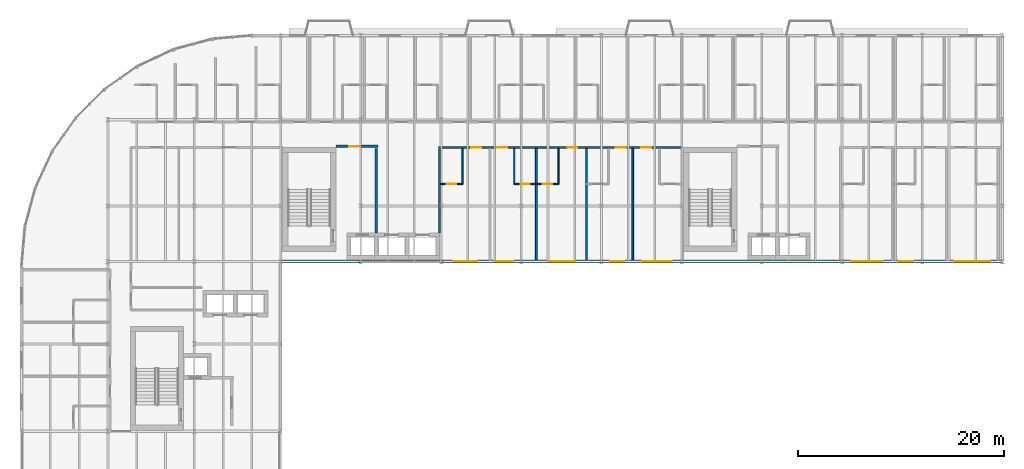
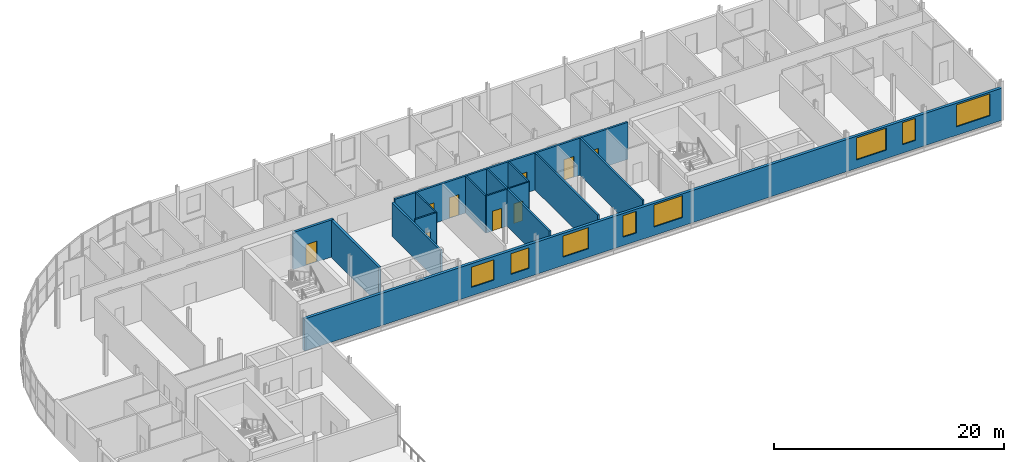
# One storey, part 13 of 22: 14 walls, 9 doors, 8 windows, 17 openings.
"""IFC4 building model written with IfcOpenShell, lengths in metres."""

from ifc_helpers import new_model, si_unit, direction, frame, frame_2d, origin, place, context, subcontext, project, spatial, rectangle, extrude, material, layer, layer_set, type_object, element, fill, save


model = new_model("IFC4")

# Units and contexts
model_context = context("Model", 3, precision=1e-05, world=origin(), true_north=direction((0.0, 1.0)))
body_context = subcontext(model_context, "Body", "Model", "MODEL_VIEW")
ifc_project = project(units=[si_unit("LENGTHUNIT", "METRE"), si_unit("AREAUNIT", "SQUARE_METRE"), si_unit("VOLUMEUNIT", "CUBIC_METRE"), si_unit("PLANEANGLEUNIT", "RADIAN"), si_unit("MASSUNIT", "GRAM", prefix="KILO")], contexts=[model_context])

# Site, building, storey
site_placement = place(None, origin())
site = spatial("IfcSite", under=ifc_project, at=site_placement, CompositionType="ELEMENT")
building_placement = place(site_placement, origin())
building = spatial("IfcBuilding", under=site, at=building_placement, Name="Sefraquen Railside Congress Hotel", CompositionType="ELEMENT")
storey_placement = place(building_placement, frame((0.0, 0.0, 42.60009765625)))
storey = spatial("IfcBuildingStorey", under=building, at=storey_placement, Name="L10", CompositionType="ELEMENT", Elevation=42.60009765625)

# Wall, openings, windows
ifc_material_1 = material(Name="Ochre Rabat calcarenite limestone and Concrete C40/50 backing", Category="masonry")
ifc_layer_1 = layer(ifc_material_1, 0.280029296875)
ifc_layer_set_1 = layer_set([ifc_layer_1], Name="Ochre Rabat calcarenite limestone and Concrete C40/50 backing")
wall_type_1 = type_object("IfcWallType", Name="TW-EW-280", PredefinedType="STANDARD", material=ifc_layer_set_1)
wall_1_placement = place(storey_placement, frame((25.199951171875, 96.0, 0.0), z_axis=(0.0, 0.0, 1.0), x_axis=(1.0, 0.0, 0.0)))
wall_1 = element("IfcWall", 1, at=wall_1_placement, inside=storey, type_object=wall_type_1, Name="Hotel L10 south courtyard facade wall", PredefinedType="STANDARD", context=body_context, shape_type="SweptSolid", body=[
    extrude(rectangle(XDim=70.199951171875, YDim=0.280029296875, at=frame_2d((35.10009765625, 0.0))), origin(), (0.0, 0.0, 1.0), 3.419921875),
])
opening_1_placement = place(wall_1_placement, frame((16.830078125, 0.0, 0.89990234375)))
opening_1 = element("IfcOpeningElement", 2, at=opening_1_placement, cuts=wall_1, Name="Opening WN-08", PredefinedType="OPENING", context=body_context, shape_type="SweptSolid", body=[
    extrude(rectangle(XDim=2.25, YDim=2.14990234375, at=frame_2d((1.125, 1.074951171875))), frame((0.0, 0.14990234375, 0.0), z_axis=(0.0, -1.0, 0.0), x_axis=(1.0, 0.0, 0.0)), (0.0, 0.0, 1.0), 0.300048828125),
])
opening_2_placement = place(wall_1_placement, frame((20.81494140625, 0.0, 0.89990234375)))
opening_2 = element("IfcOpeningElement", 3, at=opening_2_placement, cuts=wall_1, Name="Opening WN-09", PredefinedType="OPENING", context=body_context, shape_type="SweptSolid", body=[
    extrude(rectangle(XDim=1.800048828125, YDim=2.199951171875, at=frame_2d((0.89990234375, 1.10009765625))), frame((0.0, 0.14990234375, 0.0), z_axis=(0.0, -1.0, 0.0), x_axis=(1.0, 0.0, 0.0)), (0.0, 0.0, 1.0), 0.300048828125),
])
opening_3_placement = place(wall_1_placement, frame((26.030029296875, 0.0, 0.89990234375)))
opening_3 = element("IfcOpeningElement", 4, at=opening_3_placement, cuts=wall_1, Name="Opening WN-10", PredefinedType="OPENING", context=body_context, shape_type="SweptSolid", body=[
    extrude(rectangle(XDim=2.550048828125, YDim=2.25, at=frame_2d((1.27490234375, 1.125))), frame((0.0, 0.14990234375, 0.0), z_axis=(0.0, -1.0, 0.0), x_axis=(1.0, 0.0, 0.0)), (0.0, 0.0, 1.0), 0.300048828125),
])
opening_4_placement = place(wall_1_placement, frame((32.044921875, 0.0, 0.89990234375)))
opening_4 = element("IfcOpeningElement", 5, at=opening_4_placement, cuts=wall_1, Name="Opening WN-11", PredefinedType="OPENING", context=body_context, shape_type="SweptSolid", body=[
    extrude(rectangle(XDim=1.35009765625, YDim=2.300048828125, at=frame_2d((0.675048828125, 1.14990234375))), frame((0.0, 0.14990234375, 0.0), z_axis=(0.0, -1.0, 0.0), x_axis=(1.0, 0.0, 0.0)), (0.0, 0.0, 1.0), 0.300048828125),
])
opening_5_placement = place(wall_1_placement, frame((35.199951171875, 0.0, 0.89990234375)))
opening_5 = element("IfcOpeningElement", 6, at=opening_5_placement, cuts=wall_1, Name="Opening WN-12", PredefinedType="OPENING", context=body_context, shape_type="SweptSolid", body=[
    extrude(rectangle(XDim=2.85009765625, YDim=2.340087890625, at=frame_2d((1.425048828125, 1.169921875))), frame((0.0, 0.14990234375, 0.0), z_axis=(0.0, -1.0, 0.0), x_axis=(1.0, 0.0, 0.0)), (0.0, 0.0, 1.0), 0.300048828125),
])
opening_6_placement = place(wall_1_placement, frame((55.5439453125, 0.0, 0.89990234375)))
opening_6 = element("IfcOpeningElement", 7, at=opening_6_placement, cuts=wall_1, Name="Opening WN-13", PredefinedType="OPENING", context=body_context, shape_type="SweptSolid", body=[
    extrude(rectangle(XDim=3.0, YDim=2.340087890625, at=frame_2d((1.5, 1.169921875))), frame((0.0, 0.14990234375, 0.0), z_axis=(0.0, -1.0, 0.0), x_axis=(1.0, 0.0, 0.0)), (0.0, 0.0, 1.0), 0.300048828125),
])
opening_7_placement = place(wall_1_placement, frame((60.15087890625, 0.0, 0.89990234375)))
opening_7 = element("IfcOpeningElement", 8, at=opening_7_placement, cuts=wall_1, Name="Opening WN-14", PredefinedType="OPENING", context=body_context, shape_type="SweptSolid", body=[
    extrude(rectangle(XDim=1.35009765625, YDim=2.340087890625, at=frame_2d((0.675048828125, 1.169921875))), frame((0.0, 0.14990234375, 0.0), z_axis=(0.0, -1.0, 0.0), x_axis=(1.0, 0.0, 0.0)), (0.0, 0.0, 1.0), 0.300048828125),
])
opening_8_placement = place(wall_1_placement, frame((65.58203125, 0.0, 0.89990234375)))
opening_8 = element("IfcOpeningElement", 9, at=opening_8_placement, cuts=wall_1, Name="Opening WN-15", PredefinedType="OPENING", context=body_context, shape_type="SweptSolid", body=[
    extrude(rectangle(XDim=3.39990234375, YDim=2.340087890625, at=frame_2d((1.699951171875, 1.169921875))), frame((0.0, 0.14990234375, 0.0), z_axis=(0.0, -1.0, 0.0), x_axis=(1.0, 0.0, 0.0)), (0.0, 0.0, 1.0), 0.300048828125),
])
ifc_material_2 = material(Name="Solar-control low-E double glazing in bronze-anodised frame", Category="glass")
window_type_1 = type_object("IfcWindowType", Name="TWN-W-08", PartitioningType="DOUBLE_PANEL_VERTICAL", PredefinedType="WINDOW", material=ifc_material_2)
window_1_placement = place(opening_1_placement, origin())
window_1 = element("IfcWindow", 10, at=window_1_placement, inside=storey, type_object=window_type_1, Name="Guest room courtyard window SP-L10-RM-015", OverallHeight=2.14990234375, OverallWidth=2.25, PartitioningType="DOUBLE_PANEL_VERTICAL", PredefinedType="WINDOW", context=body_context, shape_type="SweptSolid", body=[
    extrude(rectangle(XDim=2.25, YDim=2.14990234375, at=frame_2d((1.125, 1.074951171875))), frame((0.0, 0.030029296875, 0.0), z_axis=(0.0, -1.0, 0.0), x_axis=(1.0, 0.0, 0.0)), (0.0, 0.0, 1.0), 0.06005859375),
])
fill(opening_1, window_1)
window_type_2 = type_object("IfcWindowType", Name="TWN-W-09", PartitioningType="DOUBLE_PANEL_VERTICAL", PredefinedType="WINDOW", material=ifc_material_2)
window_2_placement = place(opening_2_placement, origin())
window_2 = element("IfcWindow", 11, at=window_2_placement, inside=storey, type_object=window_type_2, Name="Guest room courtyard window SP-L10-RM-016", OverallHeight=2.199951171875, OverallWidth=1.800048828125, PartitioningType="DOUBLE_PANEL_VERTICAL", PredefinedType="WINDOW", context=body_context, shape_type="SweptSolid", body=[
    extrude(rectangle(XDim=1.800048828125, YDim=2.199951171875, at=frame_2d((0.89990234375, 1.10009765625))), frame((0.0, 0.030029296875, 0.0), z_axis=(0.0, -1.0, 0.0), x_axis=(1.0, 0.0, 0.0)), (0.0, 0.0, 1.0), 0.06005859375),
])
fill(opening_2, window_2)
window_type_3 = type_object("IfcWindowType", Name="TWN-W-10", PartitioningType="DOUBLE_PANEL_VERTICAL", PredefinedType="WINDOW", material=ifc_material_2)
window_3_placement = place(opening_3_placement, origin())
window_3 = element("IfcWindow", 12, at=window_3_placement, inside=storey, type_object=window_type_3, Name="Guest room courtyard window SP-L10-RM-017", OverallHeight=2.25, OverallWidth=2.550048828125, PartitioningType="DOUBLE_PANEL_VERTICAL", PredefinedType="WINDOW", context=body_context, shape_type="SweptSolid", body=[
    extrude(rectangle(XDim=2.550048828125, YDim=2.25, at=frame_2d((1.27490234375, 1.125))), frame((0.0, 0.030029296875, 0.0), z_axis=(0.0, -1.0, 0.0), x_axis=(1.0, 0.0, 0.0)), (0.0, 0.0, 1.0), 0.06005859375),
])
fill(opening_3, window_3)
window_type_4 = type_object("IfcWindowType", Name="TWN-W-11", PartitioningType="DOUBLE_PANEL_VERTICAL", PredefinedType="WINDOW", material=ifc_material_2)
window_4_placement = place(opening_4_placement, origin())
window_4 = element("IfcWindow", 13, at=window_4_placement, inside=storey, type_object=window_type_4, Name="Guest room courtyard window SP-L10-RM-018", OverallHeight=2.300048828125, OverallWidth=1.35009765625, PartitioningType="DOUBLE_PANEL_VERTICAL", PredefinedType="WINDOW", context=body_context, shape_type="SweptSolid", body=[
    extrude(rectangle(XDim=1.35009765625, YDim=2.300048828125, at=frame_2d((0.675048828125, 1.14990234375))), frame((0.0, 0.030029296875, 0.0), z_axis=(0.0, -1.0, 0.0), x_axis=(1.0, 0.0, 0.0)), (0.0, 0.0, 1.0), 0.06005859375),
])
fill(opening_4, window_4)
window_type_5 = type_object("IfcWindowType", Name="TWN-W-12", PartitioningType="DOUBLE_PANEL_VERTICAL", PredefinedType="WINDOW", material=ifc_material_2)
window_5_placement = place(opening_5_placement, origin())
window_5 = element("IfcWindow", 14, at=window_5_placement, inside=storey, type_object=window_type_5, Name="Guest room courtyard window SP-L10-RM-019", OverallHeight=2.340087890625, OverallWidth=2.85009765625, PartitioningType="DOUBLE_PANEL_VERTICAL", PredefinedType="WINDOW", context=body_context, shape_type="SweptSolid", body=[
    extrude(rectangle(XDim=2.85009765625, YDim=2.340087890625, at=frame_2d((1.425048828125, 1.169921875))), frame((0.0, 0.030029296875, 0.0), z_axis=(0.0, -1.0, 0.0), x_axis=(1.0, 0.0, 0.0)), (0.0, 0.0, 1.0), 0.06005859375),
])
fill(opening_5, window_5)
window_type_6 = type_object("IfcWindowType", Name="TWN-W-13", PartitioningType="DOUBLE_PANEL_VERTICAL", PredefinedType="WINDOW", material=ifc_material_2)
window_6_placement = place(opening_6_placement, origin())
window_6 = element("IfcWindow", 15, at=window_6_placement, inside=storey, type_object=window_type_6, Name="Guest room courtyard window SP-L10-RM-020", OverallHeight=2.340087890625, OverallWidth=3.0, PartitioningType="DOUBLE_PANEL_VERTICAL", PredefinedType="WINDOW", context=body_context, shape_type="SweptSolid", body=[
    extrude(rectangle(XDim=3.0, YDim=2.340087890625, at=frame_2d((1.5, 1.169921875))), frame((0.0, 0.030029296875, 0.0), z_axis=(0.0, -1.0, 0.0), x_axis=(1.0, 0.0, 0.0)), (0.0, 0.0, 1.0), 0.06005859375),
])
fill(opening_6, window_6)
window_type_7 = type_object("IfcWindowType", Name="TWN-W-14", PartitioningType="DOUBLE_PANEL_VERTICAL", PredefinedType="WINDOW", material=ifc_material_2)
window_7_placement = place(opening_7_placement, origin())
window_7 = element("IfcWindow", 16, at=window_7_placement, inside=storey, type_object=window_type_7, Name="Guest room courtyard window SP-L10-RM-021", OverallHeight=2.340087890625, OverallWidth=1.35009765625, PartitioningType="DOUBLE_PANEL_VERTICAL", PredefinedType="WINDOW", context=body_context, shape_type="SweptSolid", body=[
    extrude(rectangle(XDim=1.35009765625, YDim=2.340087890625, at=frame_2d((0.675048828125, 1.169921875))), frame((0.0, 0.030029296875, 0.0), z_axis=(0.0, -1.0, 0.0), x_axis=(1.0, 0.0, 0.0)), (0.0, 0.0, 1.0), 0.06005859375),
])
fill(opening_7, window_7)
window_type_8 = type_object("IfcWindowType", Name="TWN-W-15", PartitioningType="DOUBLE_PANEL_VERTICAL", PredefinedType="WINDOW", material=ifc_material_2)
window_8_placement = place(opening_8_placement, origin())
window_8 = element("IfcWindow", 17, at=window_8_placement, inside=storey, type_object=window_type_8, Name="Guest room courtyard window SP-L10-RM-022", OverallHeight=2.340087890625, OverallWidth=3.39990234375, PartitioningType="DOUBLE_PANEL_VERTICAL", PredefinedType="WINDOW", context=body_context, shape_type="SweptSolid", body=[
    extrude(rectangle(XDim=3.39990234375, YDim=2.340087890625, at=frame_2d((1.699951171875, 1.169921875))), frame((0.0, 0.030029296875, 0.0), z_axis=(0.0, -1.0, 0.0), x_axis=(1.0, 0.0, 0.0)), (0.0, 0.0, 1.0), 0.06005859375),
])
fill(opening_8, window_8)

# Wall
ifc_material_3 = material(Name="Concrete C40/50", Category="concrete")
ifc_layer_2 = layer(ifc_material_3, 0.239990234375)
ifc_layer_set_2 = layer_set([ifc_layer_2], Name="Concrete C40/50")
wall_type_2 = type_object("IfcWallType", Name="TW-FW-240", PredefinedType="STANDARD", material=ifc_layer_set_2)
wall_2_placement = place(storey_placement, frame((34.47998046875, 98.780029296875, 0.0), z_axis=(0.0, 0.0, 1.0), x_axis=(0.0, 1.0, 0.0)))
element("IfcWall", 18, at=wall_2_placement, inside=storey, type_object=wall_type_2, Name="Firefighting Lift Lobby FFL-02 east fire wall L10", PredefinedType="STANDARD", context=body_context, shape_type="SweptSolid", body=[
    extrude(rectangle(XDim=8.239990234375, YDim=0.239990234375, at=frame_2d((4.1201171875, 0.0))), origin(), (0.0, 0.0, 1.0), 3.93994140625),
])

# Wall, opening, door
wall_3_placement = place(storey_placement, frame((30.56005859375, 107.199951171875, 0.0), z_axis=(0.0, 0.0, 1.0), x_axis=(1.0, 0.0, 0.0)))
wall_3 = element("IfcWall", 19, at=wall_3_placement, inside=storey, type_object=wall_type_2, Name="Firefighting Lift Lobby FFL-02 EI 120 separation wall L10", PredefinedType="STANDARD", context=body_context, shape_type="SweptSolid", body=[
    extrude(rectangle(XDim=4.099853515625, YDim=0.239990234375, at=frame_2d((2.0498046875, 0.0))), origin(), (0.0, 0.0, 1.0), 3.93994140625),
])
opening_9_placement = place(wall_3_placement, frame((1.300048828125, 0.0, 0.0)))
opening_9 = element("IfcOpeningElement", 20, at=opening_9_placement, cuts=wall_3, Name="Opening FD-04", PredefinedType="OPENING", context=body_context, shape_type="SweptSolid", body=[
    extrude(rectangle(XDim=1.10009765625, YDim=2.199951171875, at=frame_2d((0.550048828125, 1.10009765625))), frame((0.0, 0.1298828125, 0.0), z_axis=(0.0, -1.0, 0.0), x_axis=(1.0, 0.0, 0.0)), (0.0, 0.0, 1.0), 0.260009765625),
])
ifc_material_4 = material(Name="Fire-rated steel", Category="steel")
door_type_1 = type_object("IfcDoorType", Name="TD-FD-04", OperationType="NOTDEFINED", PredefinedType="DOOR", material=ifc_material_4)
door_1_placement = place(opening_9_placement, origin())
door_1 = element("IfcDoor", 21, at=door_1_placement, inside=storey, type_object=door_type_1, Name="Firefighting Lift Lobby FFL-02 self-closing fire door L10", OperationType="SINGLE_SWING_RIGHT", OverallHeight=2.199951171875, OverallWidth=1.10009765625, PredefinedType="DOOR", context=body_context, shape_type="SweptSolid", body=[
    extrude(rectangle(XDim=1.10009765625, YDim=2.199951171875, at=frame_2d((0.550048828125, 1.10009765625))), frame((0.0, 0.02490234375, 0.0), z_axis=(0.0, -1.0, 0.0), x_axis=(1.0, 0.0, 0.0)), (0.0, 0.0, 1.0), 0.050048828125),
])
fill(opening_9, door_1)

# Wall
ifc_material_5 = material(Name="Moisture-resistant gypsum board", Category="gypsum")
ifc_layer_3 = layer(ifc_material_5, 0.139892578125)
ifc_layer_set_3 = layer_set([ifc_layer_3], Name="Moisture-resistant gypsum board")
wall_type_3 = type_object("IfcWallType", Name="TW-PW-140", PredefinedType="PARTITIONING", material=ifc_layer_set_3)
wall_4_placement = place(storey_placement, frame((42.89990234375, 103.550048828125, 0.0), z_axis=(0.0, 0.0, 1.0), x_axis=(0.0, 1.0, 0.0)))
element("IfcWall", 22, at=wall_4_placement, inside=storey, type_object=wall_type_3, Name="En-suite bathroom east wall RM-015", PredefinedType="PARTITIONING", context=body_context, shape_type="SweptSolid", body=[
    extrude(rectangle(XDim=3.469970703125, YDim=0.139892578125, at=frame_2d((1.73486328125, 0.0))), origin(), (0.0, 0.0, 1.0), 3.93994140625),
])

# Wall, opening, door
wall_5_placement = place(storey_placement, frame((40.75, 103.550048828125, 0.0), z_axis=(0.0, 0.0, 1.0), x_axis=(1.0, 0.0, 0.0)))
wall_5 = element("IfcWall", 23, at=wall_5_placement, inside=storey, type_object=wall_type_3, Name="En-suite bathroom south wall RM-015", PredefinedType="PARTITIONING", context=body_context, shape_type="SweptSolid", body=[
    extrude(rectangle(XDim=2.14990234375, YDim=0.139892578125, at=frame_2d((1.074951171875, 0.0))), origin(), (0.0, 0.0, 1.0), 3.93994140625),
])
opening_10_placement = place(wall_5_placement, frame((0.625, 0.0, 0.0)))
opening_10 = element("IfcOpeningElement", 24, at=opening_10_placement, cuts=wall_5, Name="Opening ID-02", PredefinedType="OPENING", context=body_context, shape_type="SweptSolid", body=[
    extrude(rectangle(XDim=0.89990234375, YDim=2.10009765625, at=frame_2d((0.449951171875, 1.050048828125))), frame((0.0, 0.079833984375, 0.0), z_axis=(0.0, -1.0, 0.0), x_axis=(1.0, 0.0, 0.0)), (0.0, 0.0, 1.0), 0.159912109375),
])
ifc_material_6 = material(Name="Lacquered cedar joinery", Category="wood")
door_type_2 = type_object("IfcDoorType", Name="TD-ID-02", OperationType="NOTDEFINED", PredefinedType="DOOR", material=ifc_material_6)
door_2_placement = place(opening_10_placement, frame((0.89990234375, 0.0, 0.0), z_axis=(0.0, 0.0, 1.0), x_axis=(-1.0, 0.0, 0.0)))
door_2 = element("IfcDoor", 25, at=door_2_placement, inside=storey, type_object=door_type_2, Name="En-suite bathroom door RM-015", OperationType="SINGLE_SWING_LEFT", OverallHeight=2.10009765625, OverallWidth=0.89990234375, PredefinedType="DOOR", context=body_context, shape_type="SweptSolid", body=[
    extrude(rectangle(XDim=0.89990234375, YDim=2.10009765625, at=frame_2d((0.449951171875, 1.050048828125))), frame((0.0, 0.02490234375, 0.0), z_axis=(0.0, -1.0, 0.0), x_axis=(1.0, 0.0, 0.0)), (0.0, 0.0, 1.0), 0.050048828125),
])
fill(opening_10, door_2)

# Wall
wall_6_placement = place(storey_placement, frame((47.919921875, 103.550048828125, 0.0), z_axis=(0.0, 0.0, 1.0), x_axis=(0.0, 1.0, 0.0)))
element("IfcWall", 26, at=wall_6_placement, inside=storey, type_object=wall_type_3, Name="En-suite bathroom west wall RM-016", PredefinedType="PARTITIONING", context=body_context, shape_type="SweptSolid", body=[
    extrude(rectangle(XDim=3.469970703125, YDim=0.139892578125, at=frame_2d((1.73486328125, 0.0))), origin(), (0.0, 0.0, 1.0), 3.93994140625),
])

# Wall, opening, door
wall_7_placement = place(storey_placement, frame((47.919921875, 103.550048828125, 0.0), z_axis=(0.0, 0.0, 1.0), x_axis=(1.0, 0.0, 0.0)))
wall_7 = element("IfcWall", 27, at=wall_7_placement, inside=storey, type_object=wall_type_3, Name="En-suite bathroom south wall RM-016", PredefinedType="PARTITIONING", context=body_context, shape_type="SweptSolid", body=[
    extrude(rectangle(XDim=2.150146484375, YDim=0.139892578125, at=frame_2d((1.0751953125, 0.0))), origin(), (0.0, 0.0, 1.0), 3.93994140625),
])
opening_11_placement = place(wall_7_placement, frame((0.625, 0.0, 0.0)))
opening_11 = element("IfcOpeningElement", 28, at=opening_11_placement, cuts=wall_7, Name="Opening ID-02", PredefinedType="OPENING", context=body_context, shape_type="SweptSolid", body=[
    extrude(rectangle(XDim=0.89990234375, YDim=2.10009765625, at=frame_2d((0.449951171875, 1.050048828125))), frame((0.0, 0.079833984375, 0.0), z_axis=(0.0, -1.0, 0.0), x_axis=(1.0, 0.0, 0.0)), (0.0, 0.0, 1.0), 0.159912109375),
])
door_3_placement = place(opening_11_placement, frame((0.89990234375, 0.0, 0.0), z_axis=(0.0, 0.0, 1.0), x_axis=(-1.0, 0.0, 0.0)))
door_3 = element("IfcDoor", 29, at=door_3_placement, inside=storey, type_object=door_type_2, Name="En-suite bathroom door RM-016", OperationType="SINGLE_SWING_LEFT", OverallHeight=2.10009765625, OverallWidth=0.89990234375, PredefinedType="DOOR", context=body_context, shape_type="SweptSolid", body=[
    extrude(rectangle(XDim=0.89990234375, YDim=2.10009765625, at=frame_2d((0.449951171875, 1.050048828125))), frame((0.0, 0.02490234375, 0.0), z_axis=(0.0, -1.0, 0.0), x_axis=(1.0, 0.0, 0.0)), (0.0, 0.0, 1.0), 0.050048828125),
])
fill(opening_11, door_3)

# Wall
wall_8_placement = place(storey_placement, frame((52.219970703125, 103.550048828125, 0.0), z_axis=(0.0, 0.0, 1.0), x_axis=(0.0, 1.0, 0.0)))
element("IfcWall", 30, at=wall_8_placement, inside=storey, type_object=wall_type_3, Name="En-suite bathroom east wall RM-017", PredefinedType="PARTITIONING", context=body_context, shape_type="SweptSolid", body=[
    extrude(rectangle(XDim=3.469970703125, YDim=0.139892578125, at=frame_2d((1.73486328125, 0.0))), origin(), (0.0, 0.0, 1.0), 3.93994140625),
])

# Wall, opening, door
wall_9_placement = place(storey_placement, frame((50.070068359375, 103.550048828125, 0.0), z_axis=(0.0, 0.0, 1.0), x_axis=(1.0, 0.0, 0.0)))
wall_9 = element("IfcWall", 31, at=wall_9_placement, inside=storey, type_object=wall_type_3, Name="En-suite bathroom south wall RM-017", PredefinedType="PARTITIONING", context=body_context, shape_type="SweptSolid", body=[
    extrude(rectangle(XDim=2.14990234375, YDim=0.139892578125, at=frame_2d((1.074951171875, 0.0))), origin(), (0.0, 0.0, 1.0), 3.93994140625),
])
opening_12_placement = place(wall_9_placement, frame((0.625, 0.0, 0.0)))
opening_12 = element("IfcOpeningElement", 32, at=opening_12_placement, cuts=wall_9, Name="Opening ID-02", PredefinedType="OPENING", context=body_context, shape_type="SweptSolid", body=[
    extrude(rectangle(XDim=0.89990234375, YDim=2.10009765625, at=frame_2d((0.449951171875, 1.050048828125))), frame((0.0, 0.079833984375, 0.0), z_axis=(0.0, -1.0, 0.0), x_axis=(1.0, 0.0, 0.0)), (0.0, 0.0, 1.0), 0.159912109375),
])
door_4_placement = place(opening_12_placement, frame((0.89990234375, 0.0, 0.0), z_axis=(0.0, 0.0, 1.0), x_axis=(-1.0, 0.0, 0.0)))
door_4 = element("IfcDoor", 33, at=door_4_placement, inside=storey, type_object=door_type_2, Name="En-suite bathroom door RM-017", OperationType="SINGLE_SWING_LEFT", OverallHeight=2.10009765625, OverallWidth=0.89990234375, PredefinedType="DOOR", context=body_context, shape_type="SweptSolid", body=[
    extrude(rectangle(XDim=0.89990234375, YDim=2.10009765625, at=frame_2d((0.449951171875, 1.050048828125))), frame((0.0, 0.02490234375, 0.0), z_axis=(0.0, -1.0, 0.0), x_axis=(1.0, 0.0, 0.0)), (0.0, 0.0, 1.0), 0.050048828125),
])
fill(opening_12, door_4)

# Walls
ifc_material_7 = material(Name="Acoustic gypsum board on metal stud", Category="gypsum")
ifc_layer_4 = layer(ifc_material_7, 0.179931640625)
ifc_layer_set_4 = layer_set([ifc_layer_4], Name="Acoustic gypsum board on metal stud")
wall_type_4 = type_object("IfcWallType", Name="TW-PW-180", PredefinedType="PARTITIONING", material=ifc_layer_set_4)
for number, where, z_axis, x_axis, name in (
    (34, (50.070068359375, 96.139892578125, 0.0), (0.0, 0.0, 1.0), (0.0, 1.0, 0.0), "South guest room demising wall RM-016"),
    (35, (54.93994140625, 96.139892578125, 0.0), (0.0, 0.0, 1.0), (0.0, 1.0, 0.0), "South guest room demising wall RM-017"),
    (36, (59.449951171875, 96.139892578125, 0.0), (0.0, 0.0, 1.0), (0.0, 1.0, 0.0), "South guest room demising wall RM-018"),
):
    element("IfcWall", number, at=place(storey_placement, frame(where, z_axis=z_axis, x_axis=x_axis)), inside=storey, type_object=wall_type_4, Name=name, PredefinedType="PARTITIONING", context=body_context, shape_type="SweptSolid", body=[
        extrude(rectangle(XDim=10.880126953125, YDim=0.179931640625, at=frame_2d((5.43994140625, 0.0))), origin(), (0.0, 0.0, 1.0), 3.93994140625),
    ])

# Wall, openings, doors
ifc_layer_5 = layer(ifc_material_7, 0.199951171875)
ifc_layer_set_5 = layer_set([ifc_layer_5], Name="Acoustic gypsum board on metal stud")
wall_type_5 = type_object("IfcWallType", Name="TW-PW-200", PredefinedType="PARTITIONING", material=ifc_layer_set_5)
wall_10_placement = place(storey_placement, frame((40.760009765625, 107.1201171875, 0.0), z_axis=(0.0, 0.0, 1.0), x_axis=(1.0, 0.0, 0.0)))
wall_10 = element("IfcWall", 37, at=wall_10_placement, inside=storey, type_object=wall_type_5, Name="Hotel L10 south-mid corridor fire-rated partition", PredefinedType="PARTITIONING", context=body_context, shape_type="SweptSolid", body=[
    extrude(rectangle(XDim=23.43994140625, YDim=0.199951171875, at=frame_2d((11.719970703125, 0.0))), origin(), (0.0, 0.0, 1.0), 3.93994140625),
])
opening_13_placement = place(wall_10_placement, frame((2.989990234375, 0.0, 0.0)))
opening_13 = element("IfcOpeningElement", 38, at=opening_13_placement, cuts=wall_10, Name="Opening GD-02", PredefinedType="OPENING", context=body_context, shape_type="SweptSolid", body=[
    extrude(rectangle(XDim=0.9599609375, YDim=2.199951171875, at=frame_2d((0.47998046875, 1.10009765625))), frame((0.0, 0.10986328125, 0.0), z_axis=(0.0, -1.0, 0.0), x_axis=(1.0, 0.0, 0.0)), (0.0, 0.0, 1.0), 0.219970703125),
])
opening_14_placement = place(wall_10_placement, frame((5.5, 0.0, 0.0)))
opening_14 = element("IfcOpeningElement", 39, at=opening_14_placement, cuts=wall_10, Name="Opening GD-02", PredefinedType="OPENING", context=body_context, shape_type="SweptSolid", body=[
    extrude(rectangle(XDim=0.9599609375, YDim=2.199951171875, at=frame_2d((0.47998046875, 1.10009765625))), frame((0.0, 0.10986328125, 0.0), z_axis=(0.0, -1.0, 0.0), x_axis=(1.0, 0.0, 0.0)), (0.0, 0.0, 1.0), 0.219970703125),
])
opening_15_placement = place(wall_10_placement, frame((12.340087890625, 0.0, 0.0)))
opening_15 = element("IfcOpeningElement", 40, at=opening_15_placement, cuts=wall_10, Name="Opening GD-02", PredefinedType="OPENING", context=body_context, shape_type="SweptSolid", body=[
    extrude(rectangle(XDim=0.9599609375, YDim=2.199951171875, at=frame_2d((0.47998046875, 1.10009765625))), frame((0.0, 0.10986328125, 0.0), z_axis=(0.0, -1.0, 0.0), x_axis=(1.0, 0.0, 0.0)), (0.0, 0.0, 1.0), 0.219970703125),
])
opening_16_placement = place(wall_10_placement, frame((17.030029296875, 0.0, 0.0)))
opening_16 = element("IfcOpeningElement", 41, at=opening_16_placement, cuts=wall_10, Name="Opening GD-02", PredefinedType="OPENING", context=body_context, shape_type="SweptSolid", body=[
    extrude(rectangle(XDim=0.9599609375, YDim=2.199951171875, at=frame_2d((0.47998046875, 1.10009765625))), frame((0.0, 0.10986328125, 0.0), z_axis=(0.0, -1.0, 0.0), x_axis=(1.0, 0.0, 0.0)), (0.0, 0.0, 1.0), 0.219970703125),
])
opening_17_placement = place(wall_10_placement, frame((19.510009765625, 0.0, 0.0)))
opening_17 = element("IfcOpeningElement", 42, at=opening_17_placement, cuts=wall_10, Name="Opening GD-02", PredefinedType="OPENING", context=body_context, shape_type="SweptSolid", body=[
    extrude(rectangle(XDim=0.9599609375, YDim=2.199951171875, at=frame_2d((0.47998046875, 1.10009765625))), frame((0.0, 0.10986328125, 0.0), z_axis=(0.0, -1.0, 0.0), x_axis=(1.0, 0.0, 0.0)), (0.0, 0.0, 1.0), 0.219970703125),
])
ifc_material_8 = material(Name="Solid Atlas cedar timber fire leaf", Category="wood")
door_type_3 = type_object("IfcDoorType", Name="TD-GD-02", OperationType="NOTDEFINED", PredefinedType="DOOR", material=ifc_material_8)
door_5_placement = place(opening_13_placement, frame((0.9599609375, 0.0, 0.0), z_axis=(0.0, 0.0, 1.0), x_axis=(-1.0, 0.0, 0.0)))
door_5 = element("IfcDoor", 43, at=door_5_placement, inside=storey, type_object=door_type_3, Name="Guest room entrance fire door RM-015", OperationType="SINGLE_SWING_RIGHT", OverallHeight=2.199951171875, OverallWidth=0.9599609375, PredefinedType="DOOR", context=body_context, shape_type="SweptSolid", body=[
    extrude(rectangle(XDim=0.9599609375, YDim=2.199951171875, at=frame_2d((0.47998046875, 1.10009765625))), frame((0.0, 0.02490234375, 0.0), z_axis=(0.0, -1.0, 0.0), x_axis=(1.0, 0.0, 0.0)), (0.0, 0.0, 1.0), 0.050048828125),
])
fill(opening_13, door_5)
door_6_placement = place(opening_14_placement, frame((0.9599609375, 0.0, 0.0), z_axis=(0.0, 0.0, 1.0), x_axis=(-1.0, 0.0, 0.0)))
door_6 = element("IfcDoor", 44, at=door_6_placement, inside=storey, type_object=door_type_3, Name="Guest room entrance fire door RM-016", OperationType="SINGLE_SWING_RIGHT", OverallHeight=2.199951171875, OverallWidth=0.9599609375, PredefinedType="DOOR", context=body_context, shape_type="SweptSolid", body=[
    extrude(rectangle(XDim=0.9599609375, YDim=2.199951171875, at=frame_2d((0.47998046875, 1.10009765625))), frame((0.0, 0.02490234375, 0.0), z_axis=(0.0, -1.0, 0.0), x_axis=(1.0, 0.0, 0.0)), (0.0, 0.0, 1.0), 0.050048828125),
])
fill(opening_14, door_6)
door_7_placement = place(opening_15_placement, frame((0.9599609375, 0.0, 0.0), z_axis=(0.0, 0.0, 1.0), x_axis=(-1.0, 0.0, 0.0)))
door_7 = element("IfcDoor", 45, at=door_7_placement, inside=storey, type_object=door_type_3, Name="Guest room entrance fire door RM-017", OperationType="SINGLE_SWING_RIGHT", OverallHeight=2.199951171875, OverallWidth=0.9599609375, PredefinedType="DOOR", context=body_context, shape_type="SweptSolid", body=[
    extrude(rectangle(XDim=0.9599609375, YDim=2.199951171875, at=frame_2d((0.47998046875, 1.10009765625))), frame((0.0, 0.02490234375, 0.0), z_axis=(0.0, -1.0, 0.0), x_axis=(1.0, 0.0, 0.0)), (0.0, 0.0, 1.0), 0.050048828125),
])
fill(opening_15, door_7)
door_8_placement = place(opening_16_placement, frame((0.9599609375, 0.0, 0.0), z_axis=(0.0, 0.0, 1.0), x_axis=(-1.0, 0.0, 0.0)))
door_8 = element("IfcDoor", 46, at=door_8_placement, inside=storey, type_object=door_type_3, Name="Guest room entrance fire door RM-018", OperationType="SINGLE_SWING_RIGHT", OverallHeight=2.199951171875, OverallWidth=0.9599609375, PredefinedType="DOOR", context=body_context, shape_type="SweptSolid", body=[
    extrude(rectangle(XDim=0.9599609375, YDim=2.199951171875, at=frame_2d((0.47998046875, 1.10009765625))), frame((0.0, 0.02490234375, 0.0), z_axis=(0.0, -1.0, 0.0), x_axis=(1.0, 0.0, 0.0)), (0.0, 0.0, 1.0), 0.050048828125),
])
fill(opening_16, door_8)
door_9_placement = place(opening_17_placement, frame((0.9599609375, 0.0, 0.0), z_axis=(0.0, 0.0, 1.0), x_axis=(-1.0, 0.0, 0.0)))
door_9 = element("IfcDoor", 47, at=door_9_placement, inside=storey, type_object=door_type_3, Name="Guest room entrance fire door RM-019", OperationType="SINGLE_SWING_RIGHT", OverallHeight=2.199951171875, OverallWidth=0.9599609375, PredefinedType="DOOR", context=body_context, shape_type="SweptSolid", body=[
    extrude(rectangle(XDim=0.9599609375, YDim=2.199951171875, at=frame_2d((0.47998046875, 1.10009765625))), frame((0.0, 0.02490234375, 0.0), z_axis=(0.0, -1.0, 0.0), x_axis=(1.0, 0.0, 0.0)), (0.0, 0.0, 1.0), 0.050048828125),
])
fill(opening_17, door_9)

# Wall
wall_11_placement = place(storey_placement, frame((40.659912109375, 98.77001953125, 0.0), z_axis=(0.0, 0.0, 1.0), x_axis=(0.0, 1.0, 0.0)))
element("IfcWall", 48, at=wall_11_placement, inside=storey, type_object=wall_type_5, Name="Hotel L10 south-mid west end fire-rated partition", PredefinedType="PARTITIONING", context=body_context, shape_type="SweptSolid", body=[
    extrude(rectangle(XDim=8.449951171875, YDim=0.199951171875, at=frame_2d((4.22509765625, 0.0))), origin(), (0.0, 0.0, 1.0), 3.56982421875),
])

save(model, "model.ifc")
